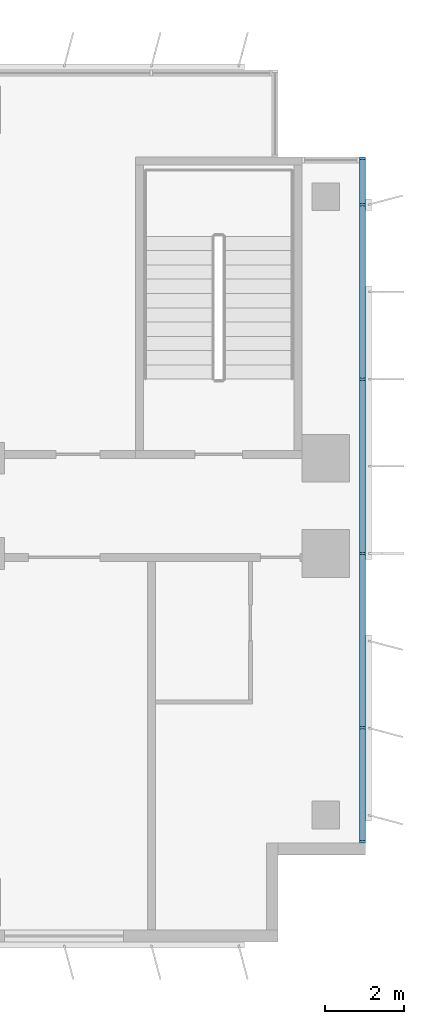
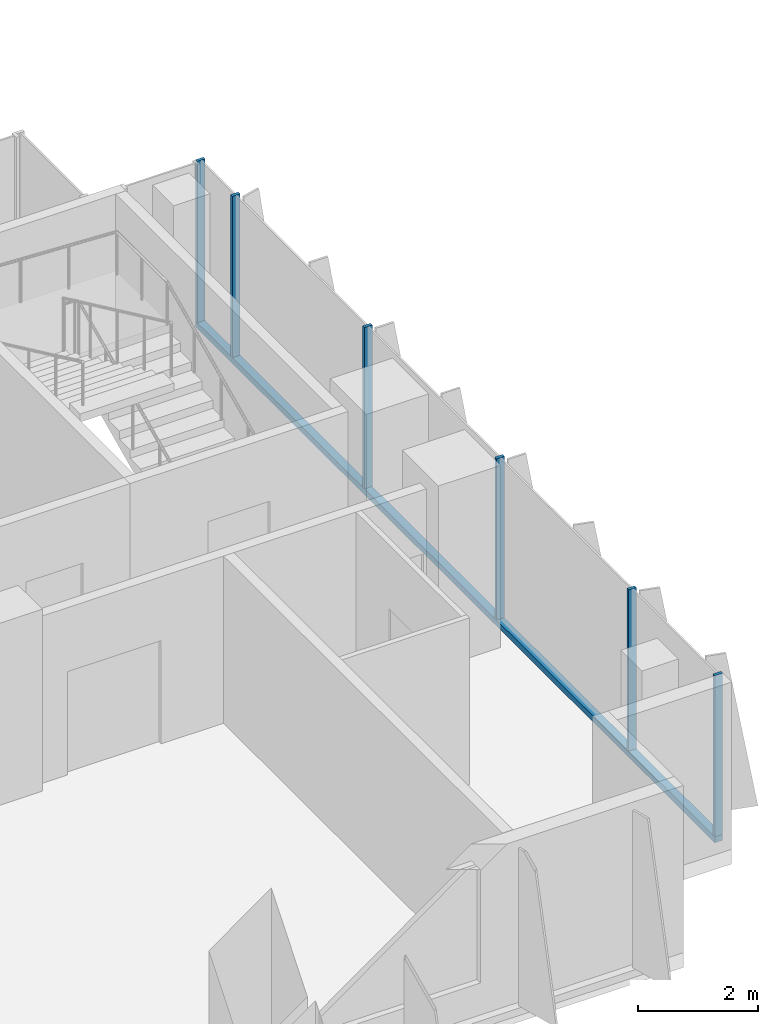
# One storey, part 8 of 22: 7 members, 1 element without a shape of its own.
"""IFC4 building model written with IfcOpenShell, lengths in metres."""

from ifc_helpers import new_model, si_unit, direction, frame, origin, origin_2d, place, context, subcontext, project, spatial, rectangle, extrude, source, transform, mapped, material, material_profile, profile_set, type_object, element, aggregate, save


model = new_model("IFC4")

# Units and contexts
model_context = context("Model", 3, precision=1e-05, world=origin(), true_north=direction((0.0, 1.0)))
body_context = subcontext(model_context, "Body", "Model", "MODEL_VIEW")
ifc_project = project(units=[si_unit("LENGTHUNIT", "METRE"), si_unit("AREAUNIT", "SQUARE_METRE"), si_unit("VOLUMEUNIT", "CUBIC_METRE"), si_unit("PLANEANGLEUNIT", "RADIAN"), si_unit("MASSUNIT", "GRAM", prefix="KILO")], contexts=[model_context])

# Site, building, storey
site_placement = place(None, origin())
site = spatial("IfcSite", under=ifc_project, at=site_placement, CompositionType="ELEMENT")
building_placement = place(site_placement, origin())
building = spatial("IfcBuilding", under=site, at=building_placement, Name="Kemantara Hotel Tower", CompositionType="ELEMENT")
storey_placement = place(building_placement, frame((0.0, 0.0, 94.5)))
storey = spatial("IfcBuildingStorey", under=building, at=storey_placement, Name="L22", CompositionType="ELEMENT", Elevation=94.5)

# Curtain wall, members
ifc_material_1 = material(Name="Low-E tinted double insulated glass 36 mm", Category="glass")
curtain_wall_type = type_object("IfcCurtainWallType", Name="TOWER CURTAIN WALL, FRONT FACES", PredefinedType="USERDEFINED", material=ifc_material_1)
curtain_wall_placement = place(storey_placement, origin())
curtain_wall = element("IfcCurtainWall", 1, at=curtain_wall_placement, inside=storey, type_object=curtain_wall_type, Name="CW4 L22 T2-R10-1", ObjectType="TOWER CURTAIN WALL, FRONT FACES", PredefinedType="USERDEFINED")
ifc_material_2 = material(Name="Aluminium 6063-T6 bronze anodised", Category="aluminium")
ifc_material_profile_1 = material_profile(ifc_material_2, rectangle(XDim=0.14990234375, YDim=0.1201171875, at=origin_2d()), Name="TOWER CURTAIN WALL, FRONT FACES TRANSOM")
ifc_profile_set_1 = profile_set([ifc_material_profile_1], Name="Aluminium 6063-T6 bronze anodised")
member_type_1 = type_object("IfcMemberType", Name="TOWER CURTAIN WALL, FRONT FACES TRANSOM", PredefinedType="USERDEFINED", material=ifc_profile_set_1)
member_1_placement = place(storey_placement, frame((63.52490234375, 2.5, 0.06005859375), z_axis=(0.0, 1.0, 0.0), x_axis=(-1.0, 0.0, 0.0)))
member_1 = element("IfcMember", 2, at=member_1_placement, type_object=member_type_1, Name="CW4 sill transom T2-R10-1", ObjectType="TRANSOM", PredefinedType="USERDEFINED", context=body_context, shape_type="SweptSolid", body=[
    extrude(rectangle(XDim=0.14990234375, YDim=0.1201171875, at=origin_2d()), origin(), (0.0, 0.0, 1.0), 17.300048828125),
])
ifc_material_profile_2 = material_profile(ifc_material_2, rectangle(XDim=0.14990234375, YDim=0.06005859375, at=origin_2d()), Name="TOWER CURTAIN WALL, FRONT FACES MULLION")
ifc_profile_set_2 = profile_set([ifc_material_profile_2], Name="Aluminium 6063-T6 bronze anodised")
member_type_2 = type_object("IfcMemberType", Name="TOWER CURTAIN WALL, FRONT FACES MULLION", PredefinedType="MULLION", material=ifc_profile_set_2)
shared_shape = source(origin(), body_context, "Body", "SweptSolid", [
    extrude(rectangle(XDim=0.14990234375, YDim=0.06005859375, at=origin_2d()), origin(), (0.0, 0.0, 1.0), 3.27978515625),
])
member_2_placement = place(storey_placement, frame((63.52490234375, 2.530029296875, 0.1201171875), z_axis=(0.0, 0.0, 1.0), x_axis=(-1.0, 0.0, 0.0)))
member_2 = element("IfcMember", 3, at=member_2_placement, type_object=member_type_2, Name="CW4 mullion T2-R10-1.1", PredefinedType="MULLION", context=body_context, shape_type="MappedRepresentation", body=[
    mapped(shared_shape, transform((0.0, 0.0, 0.0))),
])
member_3_placement = place(storey_placement, frame((63.52490234375, 5.39990234375, 0.1201171875), z_axis=(0.0, 0.0, 1.0), x_axis=(-1.0, 0.0, 0.0)))
member_3 = element("IfcMember", 4, at=member_3_placement, type_object=member_type_2, Name="CW4 mullion T2-R10-1.2", PredefinedType="MULLION", context=body_context, shape_type="MappedRepresentation", body=[
    mapped(shared_shape, transform((0.0, 0.0, 0.0))),
])
member_4_placement = place(storey_placement, frame((63.52490234375, 9.800048828125, 0.1201171875), z_axis=(0.0, 0.0, 1.0), x_axis=(-1.0, 0.0, 0.0)))
member_4 = element("IfcMember", 5, at=member_4_placement, type_object=member_type_2, Name="CW4 mullion T2-R10-1.3", PredefinedType="MULLION", context=body_context, shape_type="MappedRepresentation", body=[
    mapped(shared_shape, transform((0.0, 0.0, 0.0))),
])
member_5_placement = place(storey_placement, frame((63.52490234375, 14.199951171875, 0.1201171875), z_axis=(0.0, 0.0, 1.0), x_axis=(-1.0, 0.0, 0.0)))
member_5 = element("IfcMember", 6, at=member_5_placement, type_object=member_type_2, Name="CW4 mullion T2-R10-1.4", PredefinedType="MULLION", context=body_context, shape_type="MappedRepresentation", body=[
    mapped(shared_shape, transform((0.0, 0.0, 0.0))),
])
member_6_placement = place(storey_placement, frame((63.52490234375, 18.60009765625, 0.1201171875), z_axis=(0.0, 0.0, 1.0), x_axis=(-1.0, 0.0, 0.0)))
member_6 = element("IfcMember", 7, at=member_6_placement, type_object=member_type_2, Name="CW4 mullion T2-R10-1.5", PredefinedType="MULLION", context=body_context, shape_type="MappedRepresentation", body=[
    mapped(shared_shape, transform((0.0, 0.0, 0.0))),
])
member_7_placement = place(storey_placement, frame((63.52490234375, 19.77001953125, 0.1201171875), z_axis=(0.0, 0.0, 1.0), x_axis=(-1.0, 0.0, 0.0)))
member_7 = element("IfcMember", 8, at=member_7_placement, type_object=member_type_2, Name="CW4 mullion T2-R10-1.6", PredefinedType="MULLION", context=body_context, shape_type="MappedRepresentation", body=[
    mapped(shared_shape, transform((0.0, 0.0, 0.0))),
])
aggregate(curtain_wall, [member_1, member_2, member_3, member_4, member_5, member_6, member_7])

save(model, "model.ifc")
